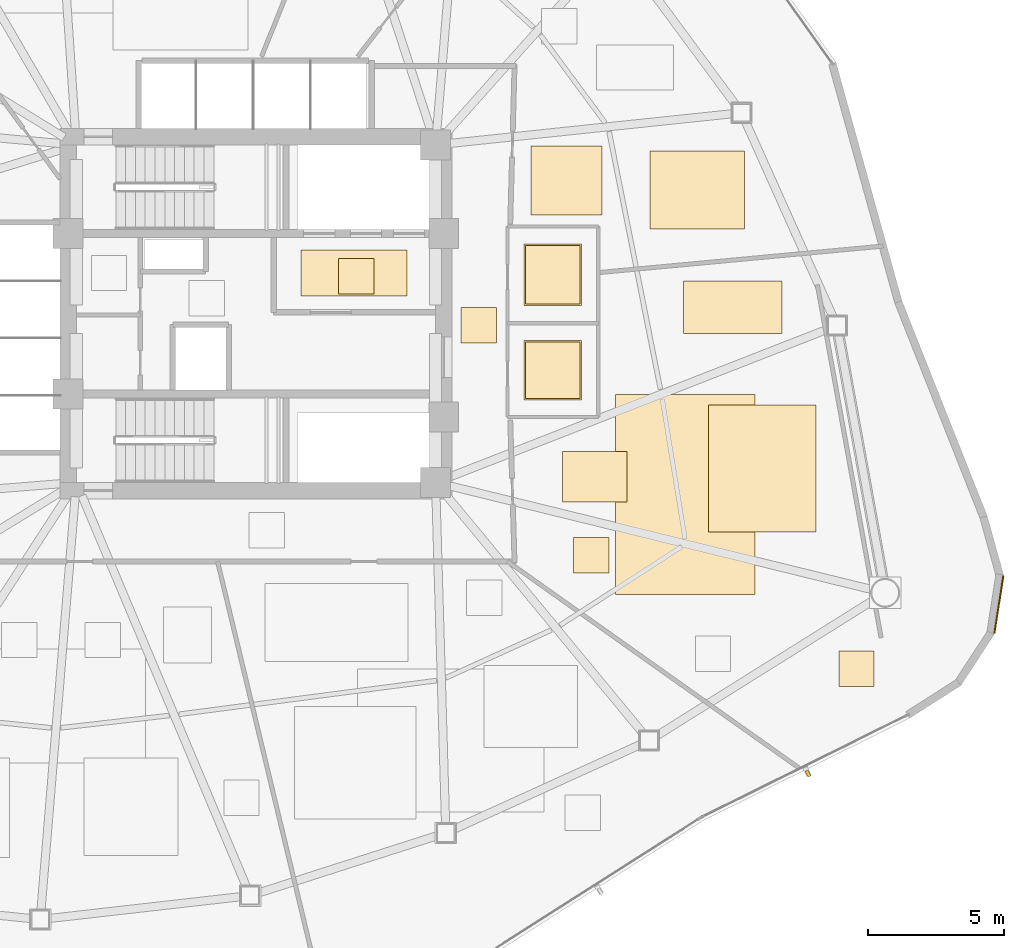
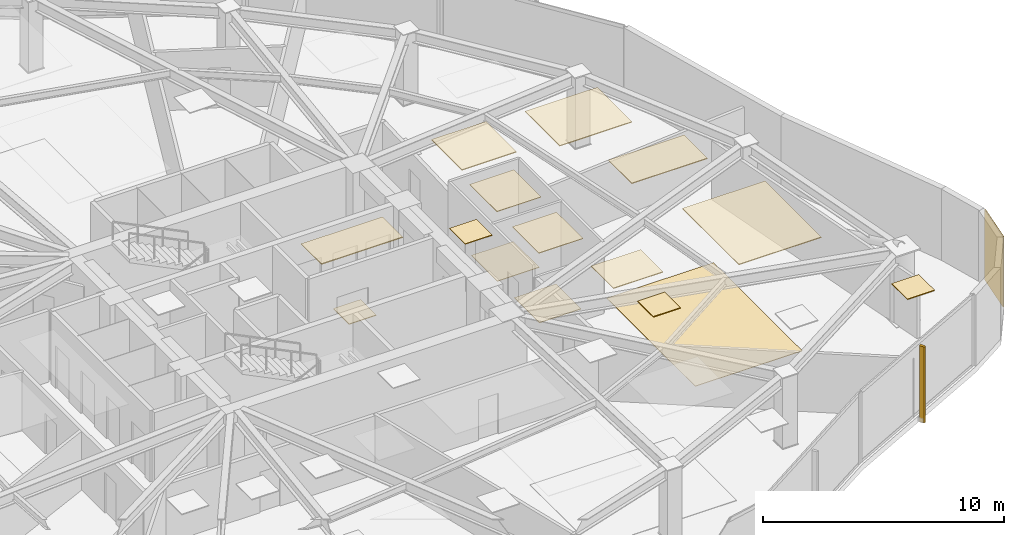
# One storey, part 17 of 18: 16 coverings, 1 shading device.
"""IFC4 building model written with IfcOpenShell, lengths in metres."""

from ifc_helpers import new_model, si_unit, direction, frame, origin, origin_2d, place, context, subcontext, project, spatial, polyline, rectangle, outline, extrude, source, transform, mapped, material, layer, layer_set, type_object, type_shapes, element, save


model = new_model("IFC4")

# Units and contexts
model_context = context("Model", 3, precision=1e-05, world=origin(), true_north=direction((0.0, 1.0)))
body_context = subcontext(model_context, "Body", "Model", "MODEL_VIEW")
ifc_project = project(units=[si_unit("LENGTHUNIT", "METRE"), si_unit("AREAUNIT", "SQUARE_METRE"), si_unit("VOLUMEUNIT", "CUBIC_METRE"), si_unit("PLANEANGLEUNIT", "RADIAN"), si_unit("MASSUNIT", "GRAM", prefix="KILO")], contexts=[model_context])

# Site, building, storey
site_placement = place(None, origin())
site = spatial("IfcSite", under=ifc_project, at=site_placement, CompositionType="ELEMENT")
building_placement = place(site_placement, origin())
building = spatial("IfcBuilding", under=site, at=building_placement, Name="Tavelor Broadcast Tower", CompositionType="ELEMENT")
storey_placement = place(building_placement, frame((0.0, 0.0, 62.699951171875)))
storey = spatial("IfcBuildingStorey", under=building, at=storey_placement, Name="L14", CompositionType="ELEMENT", Elevation=62.699951171875)

# Coverings
ifc_material_1 = material(Name="Copper-Bronze Anodized Aluminium", Category="aluminium")
ifc_layer_1 = layer(ifc_material_1, 0.044921875)
ifc_layer_set_1 = layer_set([ifc_layer_1], Name="Copper-Bronze Anodized Aluminium")
covering_type_1 = type_object("IfcCoveringType", Name="Anodised Bronze Linear Slatted Concourse Ceiling 45 mm", PredefinedType="CEILING", material=ifc_layer_set_1)
covering_1_placement = place(storey_placement, frame((0.0, 0.0, 3.554931640625)))
element("IfcCovering", 1, at=covering_1_placement, inside=storey, type_object=covering_type_1, Name="L14 Suspended Acoustic Ceiling 0540", PredefinedType="CEILING", context=body_context, shape_type="SweptSolid", body=[
    extrude(outline(polyline([(51.659912109375, 45.654296875), (55.55712890625, 45.654296875), (55.55712890625, 47.331787109375), (51.659912109375, 47.331787109375), (51.659912109375, 45.654296875)])), origin(), (0.0, 0.0, 1.0), 0.045166015625),
])
ifc_layer_2 = layer(ifc_material_1, 0.050048828125)
ifc_layer_set_2 = layer_set([ifc_layer_2], Name="Copper-Bronze Anodized Aluminium")
covering_type_2 = type_object("IfcCoveringType", Name="Champagne-Bronze Corner Pier Metal Cladding 50 mm", PredefinedType="CLADDING", material=ifc_layer_set_2)
covering_2_placement = place(storey_placement, frame((77.29541015625, 34.3095703125, 0.02001953125), z_axis=(0.0, 0.0, 1.0), x_axis=(0.153848169873, 0.988094499846, 0.0)))
element("IfcCovering", 2, at=covering_2_placement, inside=storey, type_object=covering_type_2, Name="L14 Champagne-Bronze Corner Cladding 23", PredefinedType="CLADDING", context=body_context, shape_type="SweptSolid", body=[
    extrude(rectangle(XDim=2.133056640625, YDim=0.050048828125, at=origin_2d()), origin(), (0.0, 0.0, 1.0), 3.56005859375),
])
ifc_material_2 = material(Name="Architectural Anodized Aluminium", Category="aluminium")
ifc_layer_3 = layer(ifc_material_2, 0.034912109375)
ifc_layer_set_3 = layer_set([ifc_layer_3], Name="Architectural Anodized Aluminium")
covering_type_3 = type_object("IfcCoveringType", Name="Demountable Metal Tile Corridor Ceiling 35 mm", PredefinedType="CEILING", material=ifc_layer_set_3)
covering_3_placement = place(storey_placement, frame((0.0, 0.0, 3.56494140625)))
element("IfcCovering", 3, at=covering_3_placement, inside=storey, type_object=covering_type_3, Name="L14 Suspended Acoustic Ceiling 0543", PredefinedType="CEILING", context=body_context, shape_type="SweptSolid", body=[
    extrude(outline(polyline([(57.5400390625, 43.925048828125), (58.840087890625, 43.925048828125), (58.840087890625, 45.22509765625), (57.5400390625, 45.22509765625), (57.5400390625, 43.925048828125)])), origin(), (0.0, 0.0, 1.0), 0.03515625),
])
ifc_material_3 = material(Name="Acoustic Nylon Carpet Tile")
ifc_layer_4 = layer(ifc_material_3, 0.02001953125)
ifc_layer_set_4 = layer_set([ifc_layer_4], Name="Acoustic Nylon Carpet Tile")
covering_type_4 = type_object("IfcCoveringType", Name="Heavy-Duty Acoustic Broadcast Carpet Tile 20 mm", PredefinedType="FLOORING", material=ifc_layer_set_4)
covering_4_placement = place(storey_placement, origin())
element("IfcCovering", 4, at=covering_4_placement, inside=storey, type_object=covering_type_4, Name="L14 Broadcast Floor Finish 0200", PredefinedType="FLOORING", context=body_context, shape_type="SweptSolid", body=[
    extrude(outline(polyline([(63.2119140625, 34.68310546875), (68.332275390625, 34.68310546875), (68.332275390625, 42.036865234375), (63.2119140625, 42.036865234375), (63.2119140625, 34.68310546875)])), origin(), (0.0, 0.0, 1.0), 0.02001953125),
])
ifc_material_4 = material(Name="Honed Natural Limestone Tile", Category="masonry")
ifc_layer_5 = layer(ifc_material_4, 0.030029296875)
ifc_layer_set_5 = layer_set([ifc_layer_5], Name="Honed Natural Limestone Tile")
covering_type_5 = type_object("IfcCoveringType", Name="Honed Jerusalem Limestone Concourse Flooring 30 mm", PredefinedType="FLOORING", material=ifc_layer_set_5)
covering_5_placement = place(storey_placement, origin())
element("IfcCovering", 5, at=covering_5_placement, inside=storey, type_object=covering_type_5, Name="L14 Broadcast Floor Finish 0190", PredefinedType="FLOORING", context=body_context, shape_type="SweptSolid", body=[
    extrude(outline(polyline([(53.030029296875, 45.728515625), (54.330078125, 45.728515625), (54.330078125, 47.028564453125), (53.030029296875, 47.028564453125), (53.030029296875, 45.728515625)])), origin(), (0.0, 0.0, 1.0), 0.030029296875),
])
ifc_layer_6 = layer(ifc_material_2, 0.030029296875)
ifc_layer_set_6 = layer_set([ifc_layer_6], Name="Architectural Anodized Aluminium")
covering_type_6 = type_object("IfcCoveringType", Name="Moisture-Resistant Washroom Ceiling 30 mm", PredefinedType="CEILING", material=ifc_layer_set_6)
covering_6_placement = place(storey_placement, frame((0.0, 0.0, 3.570068359375)))
element("IfcCovering", 6, at=covering_6_placement, inside=storey, type_object=covering_type_6, Name="L14 Suspended Acoustic Ceiling 0546", PredefinedType="CEILING", context=body_context, shape_type="SweptSolid", body=[
    extrude(outline(polyline([(59.85302734375, 41.828369140625), (61.967041015625, 41.828369140625), (61.967041015625, 44.021484375), (59.85302734375, 44.021484375), (59.85302734375, 41.828369140625)])), origin(), (0.0, 0.0, 1.0), 0.030029296875),
])
covering_7_placement = place(storey_placement, frame((0.0, 0.0, 3.570068359375)))
element("IfcCovering", 7, at=covering_7_placement, inside=storey, type_object=covering_type_6, Name="L14 Suspended Acoustic Ceiling 0547", PredefinedType="CEILING", context=body_context, shape_type="SweptSolid", body=[
    extrude(outline(polyline([(59.85302734375, 45.29248046875), (61.967041015625, 45.29248046875), (61.967041015625, 47.5576171875), (59.85302734375, 47.5576171875), (59.85302734375, 45.29248046875)])), origin(), (0.0, 0.0, 1.0), 0.030029296875),
])
ifc_material_5 = material(Name="Slip-Resistant Porcelain Tile")
ifc_layer_7 = layer(ifc_material_5, 0.02490234375)
ifc_layer_set_7 = layer_set([ifc_layer_7], Name="Slip-Resistant Porcelain Tile")
covering_type_7 = type_object("IfcCoveringType", Name="Slip-Resistant Porcelain Wet-Area Floor Tile 25 mm", PredefinedType="FLOORING", material=ifc_layer_set_7)
covering_8_placement = place(storey_placement, origin())
element("IfcCovering", 8, at=covering_8_placement, inside=storey, type_object=covering_type_7, Name="L14 Broadcast Floor Finish 0192", PredefinedType="FLOORING", context=body_context, shape_type="SweptSolid", body=[
    extrude(outline(polyline([(59.91064453125, 41.885986328125), (61.909423828125, 41.885986328125), (61.909423828125, 43.964111328125), (59.91064453125, 43.964111328125), (59.91064453125, 41.885986328125)])), origin(), (0.0, 0.0, 1.0), 0.025146484375),
])
covering_9_placement = place(storey_placement, origin())
element("IfcCovering", 9, at=covering_9_placement, inside=storey, type_object=covering_type_7, Name="L14 Broadcast Floor Finish 0193", PredefinedType="FLOORING", context=body_context, shape_type="SweptSolid", body=[
    extrude(outline(polyline([(59.91064453125, 45.35009765625), (61.909423828125, 45.35009765625), (61.909423828125, 47.5), (59.91064453125, 47.5), (59.91064453125, 45.35009765625)])), origin(), (0.0, 0.0, 1.0), 0.025146484375),
])
ifc_material_6 = material(Name="Acoustic Mineral Fibre Tile")
ifc_layer_8 = layer(ifc_material_6, 0.0400390625)
ifc_layer_set_8 = layer_set([ifc_layer_8], Name="Acoustic Mineral Fibre Tile")
covering_type_8 = type_object("IfcCoveringType", Name="Suspended Acoustic Mineral-Fibre Office Ceiling 40 mm", PredefinedType="CEILING", material=ifc_layer_set_8)
covering_10_placement = place(storey_placement, frame((0.0, 0.0, 3.56005859375)))
element("IfcCovering", 10, at=covering_10_placement, inside=storey, type_object=covering_type_8, Name="L14 Suspended Acoustic Ceiling 0570", PredefinedType="CEILING", context=body_context, shape_type="SweptSolid", body=[
    extrude(outline(polyline([(64.484375, 48.11279296875), (67.945068359375, 48.11279296875), (67.945068359375, 50.985107421875), (64.484375, 50.985107421875), (64.484375, 48.11279296875)])), origin(), (0.0, 0.0, 1.0), 0.0400390625),
])
covering_11_placement = place(storey_placement, frame((0.0, 0.0, 3.56005859375)))
element("IfcCovering", 11, at=covering_11_placement, inside=storey, type_object=covering_type_8, Name="L14 Suspended Acoustic Ceiling 0571", PredefinedType="CEILING", context=body_context, shape_type="SweptSolid", body=[
    extrude(outline(polyline([(60.101318359375, 48.6298828125), (62.71533203125, 48.6298828125), (62.71533203125, 51.154052734375), (60.101318359375, 51.154052734375), (60.101318359375, 48.6298828125)])), origin(), (0.0, 0.0, 1.0), 0.0400390625),
])
covering_12_placement = place(storey_placement, frame((0.0, 0.0, 3.56005859375)))
element("IfcCovering", 12, at=covering_12_placement, inside=storey, type_object=covering_type_8, Name="L14 Suspended Acoustic Ceiling 0573", PredefinedType="CEILING", context=body_context, shape_type="SweptSolid", body=[
    extrude(outline(polyline([(61.26513671875, 38.083740234375), (63.6337890625, 38.083740234375), (63.6337890625, 39.936279296875), (61.26513671875, 39.936279296875), (61.26513671875, 38.083740234375)])), origin(), (0.0, 0.0, 1.0), 0.0400390625),
])
covering_13_placement = place(storey_placement, frame((0.0, 0.0, 3.56005859375)))
element("IfcCovering", 13, at=covering_13_placement, inside=storey, type_object=covering_type_8, Name="L14 Suspended Acoustic Ceiling 0574", PredefinedType="CEILING", context=body_context, shape_type="SweptSolid", body=[
    extrude(outline(polyline([(65.709228515625, 44.26953125), (69.330810546875, 44.26953125), (69.330810546875, 46.205078125), (65.709228515625, 46.205078125), (65.709228515625, 44.26953125)])), origin(), (0.0, 0.0, 1.0), 0.0400390625),
])
covering_14_placement = place(storey_placement, frame((0.0, 0.0, 3.56005859375)))
element("IfcCovering", 14, at=covering_14_placement, inside=storey, type_object=covering_type_8, Name="L14 Suspended Acoustic Ceiling 0575", PredefinedType="CEILING", context=body_context, shape_type="SweptSolid", body=[
    extrude(outline(polyline([(66.62158203125, 36.977294921875), (70.56982421875, 36.977294921875), (70.56982421875, 41.652587890625), (66.62158203125, 41.652587890625), (66.62158203125, 36.977294921875)])), origin(), (0.0, 0.0, 1.0), 0.0400390625),
])
covering_15_placement = place(storey_placement, frame((0.0, 0.0, 3.56005859375)))
element("IfcCovering", 15, at=covering_15_placement, inside=storey, type_object=covering_type_8, Name="L14 Suspended Acoustic Ceiling 0577", PredefinedType="CEILING", context=body_context, shape_type="SweptSolid", body=[
    extrude(outline(polyline([(71.414794921875, 31.310302734375), (72.71484375, 31.310302734375), (72.71484375, 32.6103515625), (71.414794921875, 32.6103515625), (71.414794921875, 31.310302734375)])), origin(), (0.0, 0.0, 1.0), 0.0400390625),
])
covering_16_placement = place(storey_placement, frame((0.0, 0.0, 3.56005859375)))
element("IfcCovering", 16, at=covering_16_placement, inside=storey, type_object=covering_type_8, Name="L14 Suspended Acoustic Ceiling 0578", PredefinedType="CEILING", context=body_context, shape_type="SweptSolid", body=[
    extrude(outline(polyline([(61.66748046875, 35.481201171875), (62.96728515625, 35.481201171875), (62.96728515625, 36.781005859375), (61.66748046875, 36.781005859375), (61.66748046875, 35.481201171875)])), origin(), (0.0, 0.0, 1.0), 0.0400390625),
])

# Shading device
ifc_material_7 = material(Name="Kiln-Fired Glazed Terracotta", Category="masonry")
shading_device_type = type_object("IfcShadingDeviceType", Name="Extruded Terracotta Baguette Sun-Screen 110x240", PredefinedType="JALOUSIE", material=ifc_material_7)
shared_shape = source(origin(), body_context, "Body", "SweptSolid", [
    extrude(rectangle(XDim=0.110107421875, YDim=0.239990234375, at=origin_2d()), origin(), (0.0, 0.0, 1.0), 3.840087890625),
])
type_shapes(shading_device_type, [shared_shape])
shading_device_placement = place(storey_placement, frame((70.283935546875, 28.10400390625, -0.259765625), z_axis=(0.0, 0.0, 1.0), x_axis=(0.895866912623, 0.444322489715, 0.0)))
element("IfcShadingDevice", 17, at=shading_device_placement, inside=storey, type_object=shading_device_type, Name="L14 Terracotta Baguette Fin 128", PredefinedType="JALOUSIE", context=body_context, shape_type="MappedRepresentation", body=[
    mapped(shared_shape, transform((0.0, 0.0, 0.0), scale=1.0)),
])

save(model, "model.ifc")
